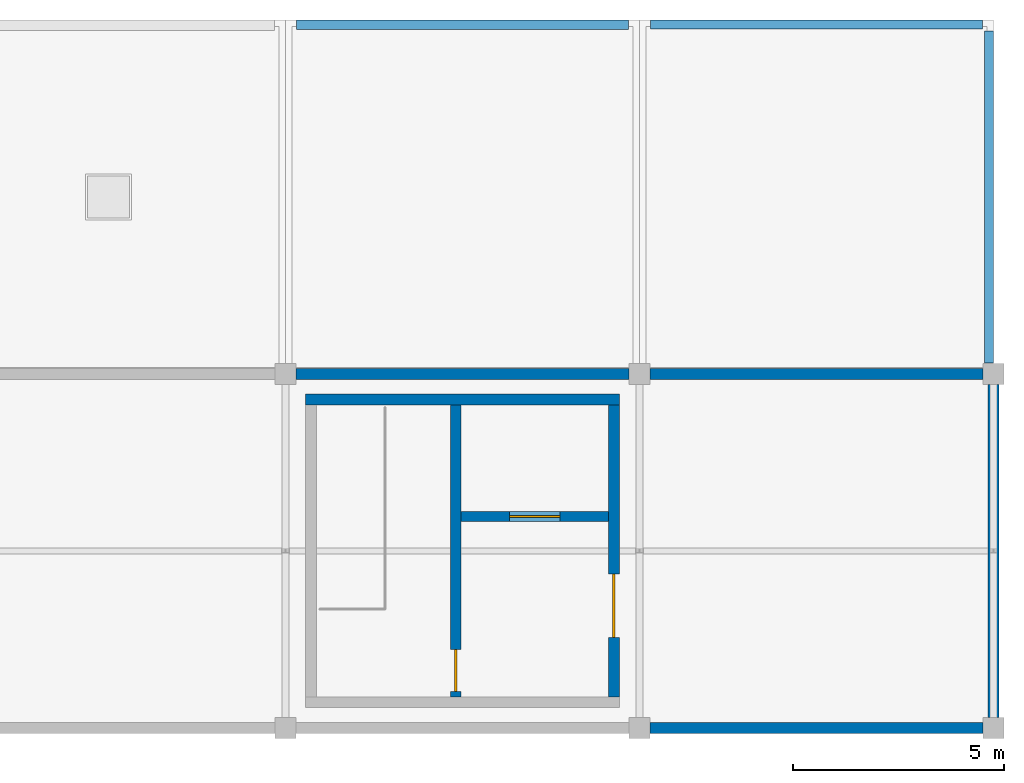
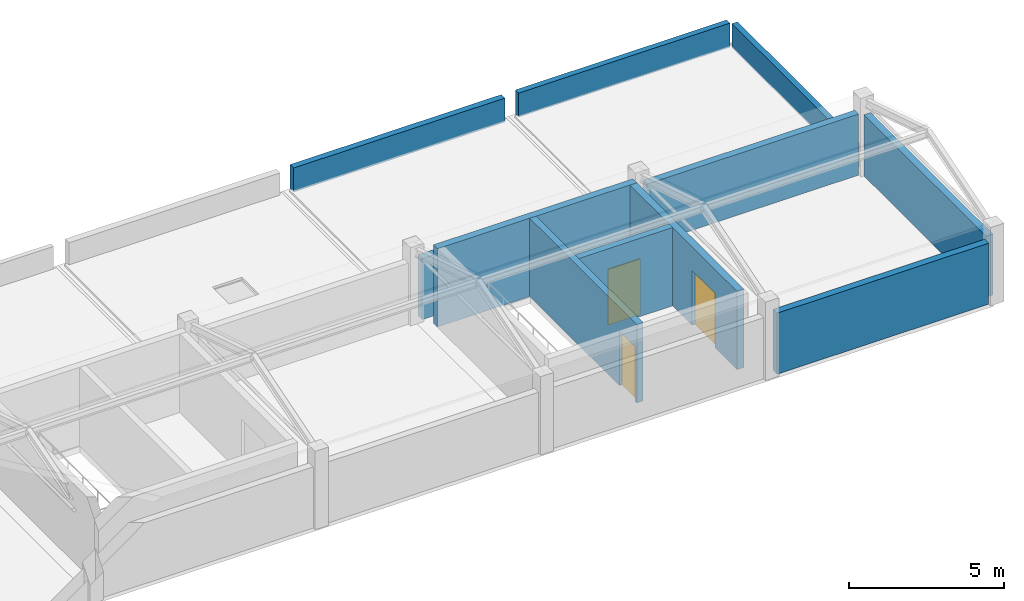
# One storey, part 3 of 4: 11 walls, 3 doors, 3 openings.
"""IFC4 building model written with IfcOpenShell, lengths in metres."""

from ifc_helpers import new_model, si_unit, direction, frame, frame_2d, origin, place, context, subcontext, project, spatial, rectangle, extrude, material, layer, layer_set, type_object, element, fill, save


model = new_model("IFC4")

# Units and contexts
model_context = context("Model", 3, precision=1e-05, world=origin(), true_north=direction((0.0, 1.0)))
body_context = subcontext(model_context, "Body", "Model", "MODEL_VIEW")
ifc_project = project(units=[si_unit("LENGTHUNIT", "METRE"), si_unit("AREAUNIT", "SQUARE_METRE"), si_unit("VOLUMEUNIT", "CUBIC_METRE"), si_unit("PLANEANGLEUNIT", "RADIAN"), si_unit("MASSUNIT", "GRAM", prefix="KILO")], contexts=[model_context])

# Site, building, storey
site_placement = place(None, origin())
site = spatial("IfcSite", under=ifc_project, at=site_placement, CompositionType="ELEMENT")
building_placement = place(site_placement, origin())
building = spatial("IfcBuilding", under=site, at=building_placement, Name="Porcellanite Civic Hall", CompositionType="ELEMENT")
storey_placement = place(building_placement, frame((0.0, 0.0, 27.719970703125)))
storey = spatial("IfcBuildingStorey", under=building, at=storey_placement, Name="RF", CompositionType="ELEMENT", Elevation=27.719970703125)

# Wall, opening, door
ifc_material_1 = material(Name="Concrete N40 (40 MPa)", Category="concrete")
ifc_layer_1 = layer(ifc_material_1, 0.239990234375)
ifc_layer_set_1 = layer_set([ifc_layer_1], Name="Concrete N40 (40 MPa)")
wall_type_1 = type_object("IfcWallType", Name="CW-SH240", PredefinedType="SHEAR", material=ifc_layer_set_1)
wall_1_placement = place(storey_placement, frame((113.239990234375, 101.5400390625, 0.0), z_axis=(0.0, 0.0, 1.0), x_axis=(0.0, 1.0, 0.0)))
wall_1 = element("IfcWall", 1, at=wall_1_placement, inside=storey, type_object=wall_type_1, Name="Core divider C4 RF", PredefinedType="SHEAR", context=body_context, shape_type="SweptSolid", body=[
    extrude(rectangle(XDim=6.919921875, YDim=0.239990234375, at=frame_2d((3.4599609375, 0.0))), origin(), (0.0, 0.0, 1.0), 3.090087890625),
])
opening_1_placement = place(wall_1_placement, frame((0.1201171875, 0.0, 0.0)))
opening_1 = element("IfcOpeningElement", 2, at=opening_1_placement, cuts=wall_1, Name="Opening FD-C4-RF-ST", PredefinedType="OPENING", context=body_context, shape_type="SweptSolid", body=[
    extrude(rectangle(XDim=1.0, YDim=2.14990234375, at=frame_2d((0.5, 1.074951171875))), frame((0.0, 0.1201171875, 0.0), z_axis=(0.0, -1.0, 0.0), x_axis=(1.0, 0.0, 0.0)), (0.0, 0.0, 1.0), 0.239990234375),
])
ifc_material_2 = material(Name="Fire-rated solid-core hardwood timber", Category="wood")
door_type_1 = type_object("IfcDoorType", Name="DR-FD100", OperationType="NOTDEFINED", PredefinedType="DOOR", material=ifc_material_2)
door_1_placement = place(opening_1_placement, origin())
door_1 = element("IfcDoor", 3, at=door_1_placement, inside=storey, type_object=door_type_1, Name="Fire stair door FD-C4-RF-ST", OperationType="SINGLE_SWING_LEFT", OverallHeight=2.14990234375, OverallWidth=1.0, PredefinedType="DOOR", context=body_context, shape_type="SweptSolid", body=[
    extrude(rectangle(XDim=1.0, YDim=2.14990234375, at=frame_2d((0.5, 1.074951171875))), frame((0.0, 0.02490234375, 0.0), z_axis=(0.0, -1.0, 0.0), x_axis=(1.0, 0.0, 0.0)), (0.0, 0.0, 1.0), 0.050048828125),
])
fill(opening_1, door_1)

wall_2_placement = place(storey_placement, frame((113.360107421875, 105.820068359375, 0.0), z_axis=(0.0, 0.0, 1.0), x_axis=(1.0, 0.0, 0.0)))
wall_2 = element("IfcWall", 4, at=wall_2_placement, inside=storey, type_object=wall_type_1, Name="Lift shaft wall C4 RF", PredefinedType="SHEAR", context=body_context, shape_type="SweptSolid", body=[
    extrude(rectangle(XDim=3.5, YDim=0.239990234375, at=frame_2d((1.75, 0.0))), origin(), (0.0, 0.0, 1.0), 3.090087890625),
])
opening_2_placement = place(wall_2_placement, frame((1.14990234375, 0.0, 0.0)))
opening_2 = element("IfcOpeningElement", 5, at=opening_2_placement, cuts=wall_2, Name="Opening LD-02", PredefinedType="OPENING", context=body_context, shape_type="SweptSolid", body=[
    extrude(rectangle(XDim=1.199951171875, YDim=2.199951171875, at=frame_2d((0.60009765625, 1.10009765625))), frame((0.0, 0.1201171875, 0.0), z_axis=(0.0, -1.0, 0.0), x_axis=(1.0, 0.0, 0.0)), (0.0, 0.0, 1.0), 0.239990234375),
])
ifc_material_3 = material(Name="Brushed stainless steel 316", Category="steel")
door_type_2 = type_object("IfcDoorType", Name="DR-LD120", OperationType="DOUBLE_DOOR_SLIDING", PredefinedType="DOOR", material=ifc_material_3)
door_2_placement = place(opening_2_placement, origin())
door_2 = element("IfcDoor", 6, at=door_2_placement, inside=storey, type_object=door_type_2, Name="Lift landing sliding door LD-02 RF", OperationType="DOUBLE_DOOR_SLIDING", OverallHeight=2.199951171875, OverallWidth=1.199951171875, PredefinedType="DOOR", context=body_context, shape_type="SweptSolid", body=[
    extrude(rectangle(XDim=1.199951171875, YDim=2.199951171875, at=frame_2d((0.60009765625, 1.10009765625))), frame((0.0, 0.02490234375, 0.0), z_axis=(0.0, -1.0, 0.0), x_axis=(1.0, 0.0, 0.0)), (0.0, 0.0, 1.0), 0.050048828125),
])
fill(opening_2, door_2)

# Wall
ifc_material_4 = material(Name="Concrete N40 (40 MPa)", Category="concrete")
ifc_layer_2 = layer(ifc_material_4, 0.260009765625)
ifc_layer_set_2 = layer_set([ifc_layer_2], Name="Concrete N40 (40 MPa)")
wall_type_2 = type_object("IfcWallType", Name="CW-SH260", PredefinedType="SHEAR", material=ifc_layer_set_2)
wall_3_placement = place(storey_placement, frame((109.679931640625, 108.590087890625, 0.0), z_axis=(0.0, 0.0, 1.0), x_axis=(1.0, 0.0, 0.0)))
element("IfcWall", 7, at=wall_3_placement, inside=storey, type_object=wall_type_2, Name="Core wall C4 RF N", PredefinedType="SHEAR", context=body_context, shape_type="SweptSolid", body=[
    extrude(rectangle(XDim=7.440185546875, YDim=0.260009765625, at=frame_2d((3.72021484375, 0.0))), origin(), (0.0, 0.0, 1.0), 3.090087890625),
])

# Wall, opening, door
wall_4_placement = place(storey_placement, frame((116.989990234375, 108.4599609375, 0.0), z_axis=(0.0, 0.0, 1.0), x_axis=(0.0, -1.0, 0.0)))
wall_4 = element("IfcWall", 8, at=wall_4_placement, inside=storey, type_object=wall_type_2, Name="Core wall C4 RF E", PredefinedType="SHEAR", context=body_context, shape_type="SweptSolid", body=[
    extrude(rectangle(XDim=6.919921875, YDim=0.260009765625, at=frame_2d((3.4599609375, 0.0))), origin(), (0.0, 0.0, 1.0), 3.090087890625),
])
opening_3_placement = place(wall_4_placement, frame((4.010009765625, 0.0, 0.0)))
opening_3 = element("IfcOpeningElement", 9, at=opening_3_placement, cuts=wall_4, Name="Opening FD-C4-RF-LB", PredefinedType="OPENING", context=body_context, shape_type="SweptSolid", body=[
    extrude(rectangle(XDim=1.5, YDim=2.14990234375, at=frame_2d((0.75, 1.074951171875))), frame((0.0, 0.1298828125, 0.0), z_axis=(0.0, -1.0, 0.0), x_axis=(1.0, 0.0, 0.0)), (0.0, 0.0, 1.0), 0.260009765625),
])
ifc_material_5 = material(Name="Fire-rated steel and Georgian wired glass", Category="steel")
door_type_3 = type_object("IfcDoorType", Name="DR-FD150", OperationType="DOUBLE_DOOR_SINGLE_SWING", PredefinedType="DOOR", material=ifc_material_5)
door_3_placement = place(opening_3_placement, origin())
door_3 = element("IfcDoor", 10, at=door_3_placement, inside=storey, type_object=door_type_3, Name="Fire lobby double door FD-C4-RF-LB", OperationType="DOUBLE_DOOR_SINGLE_SWING", OverallHeight=2.14990234375, OverallWidth=1.5, PredefinedType="DOOR", context=body_context, shape_type="SweptSolid", body=[
    extrude(rectangle(XDim=1.5, YDim=2.14990234375, at=frame_2d((0.75, 1.074951171875))), frame((0.0, 0.02490234375, 0.0), z_axis=(0.0, -1.0, 0.0), x_axis=(1.0, 0.0, 0.0)), (0.0, 0.0, 1.0), 0.050048828125),
])
fill(opening_3, door_3)

# Walls
ifc_material_6 = material(Name="Precast concrete N40 (40 MPa)", Category="concrete")
ifc_layer_3 = layer(ifc_material_6, 0.260009765625)
ifc_layer_set_3 = layer_set([ifc_layer_3], Name="Precast concrete N40 (40 MPa)")
wall_type_3 = type_object("IfcWallType", Name="EW-PLT260", PredefinedType="SOLIDWALL", material=ifc_layer_set_3)
wall_5_placement = place(storey_placement, frame((109.450927734375, 109.199951171875, 0.0), z_axis=(0.0, 0.0, 1.0), x_axis=(1.0, 0.0, 0.0)))
element("IfcWall", 11, at=wall_5_placement, inside=storey, type_object=wall_type_3, Name="Exterior wall RF N 14-13", PredefinedType="SOLIDWALL", context=body_context, shape_type="SweptSolid", body=[
    extrude(rectangle(XDim=7.898193359375, YDim=0.260009765625, at=frame_2d((3.94921875, 0.0))), origin(), (0.0, 0.0, 1.0), 2.409912109375),
])
for number, where, z_axis, x_axis, name in (
    (12, (125.7490234375, 100.800048828125, 0.0), (0.0, 0.0, 1.0), (-1.0, 0.0, 0.0), "Exterior wall RF S 15-13"),
    (13, (117.85107421875, 109.199951171875, 0.0), (0.0, 0.0, 1.0), (1.0, 0.0, 0.0), "Exterior wall RF N 15-13"),
    (14, (126.0, 108.948974609375, 0.0), (0.0, 0.0, 1.0), (0.0, -1.0, 0.0), "Exterior wall RF E 15-13"),
):
    element("IfcWall", number, at=place(storey_placement, frame(where, z_axis=z_axis, x_axis=x_axis)), inside=storey, type_object=wall_type_3, Name=name, PredefinedType="SOLIDWALL", context=body_context, shape_type="SweptSolid", body=[
        extrude(rectangle(XDim=7.89794921875, YDim=0.260009765625, at=frame_2d((3.948974609375, 0.0))), origin(), (0.0, 0.0, 1.0), 2.409912109375),
    ])
ifc_material_7 = material(Name="Precast concrete N40 (40 MPa)", Category="concrete")
ifc_layer_4 = layer(ifc_material_7, 0.22998046875)
ifc_layer_set_4 = layer_set([ifc_layer_4], Name="Precast concrete N40 (40 MPa)")
wall_type_4 = type_object("IfcWallType", Name="WP-PAR2", PredefinedType="PARAPET", material=ifc_layer_set_4)
wall_6_placement = place(storey_placement, frame((109.4599609375, 117.485107421875, 0.0), z_axis=(0.0, 0.0, 1.0), x_axis=(1.0, 0.0, 0.0)))
element("IfcWall", 15, at=wall_6_placement, inside=storey, type_object=wall_type_4, Name="Roof parapet RF N 14-14", PredefinedType="PARAPET", context=body_context, shape_type="SweptSolid", body=[
    extrude(rectangle(XDim=7.880126953125, YDim=0.22998046875, at=frame_2d((3.93994140625, 0.0))), origin(), (0.0, 0.0, 1.0), 0.949951171875),
])
ifc_material_8 = material(Name="Precast concrete N40 (40 MPa)", Category="concrete")
ifc_layer_5 = layer(ifc_material_8, 0.2099609375)
ifc_layer_set_5 = layer_set([ifc_layer_5], Name="Precast concrete N40 (40 MPa)")
wall_type_5 = type_object("IfcWallType", Name="WP-PAR3", PredefinedType="PARAPET", material=ifc_layer_set_5)
wall_7_placement = place(storey_placement, frame((117.860107421875, 117.4951171875, 0.0), z_axis=(0.0, 0.0, 1.0), x_axis=(1.0, 0.0, 0.0)))
element("IfcWall", 16, at=wall_7_placement, inside=storey, type_object=wall_type_5, Name="Roof parapet RF N 15-14", PredefinedType="PARAPET", context=body_context, shape_type="SweptSolid", body=[
    extrude(rectangle(XDim=7.8798828125, YDim=0.2099609375, at=frame_2d((3.93994140625, 0.0))), origin(), (0.0, 0.0, 1.0), 0.949951171875),
])
wall_8_placement = place(storey_placement, frame((125.89501953125, 117.340087890625, 0.0), z_axis=(0.0, 0.0, 1.0), x_axis=(0.0, -1.0, 0.0)))
element("IfcWall", 17, at=wall_8_placement, inside=storey, type_object=wall_type_5, Name="Roof parapet RF E 15-14", PredefinedType="PARAPET", context=body_context, shape_type="SweptSolid", body=[
    extrude(rectangle(XDim=7.880126953125, YDim=0.2099609375, at=frame_2d((3.93994140625, 0.0))), origin(), (0.0, 0.0, 1.0), 0.949951171875),
])

save(model, "model.ifc")
